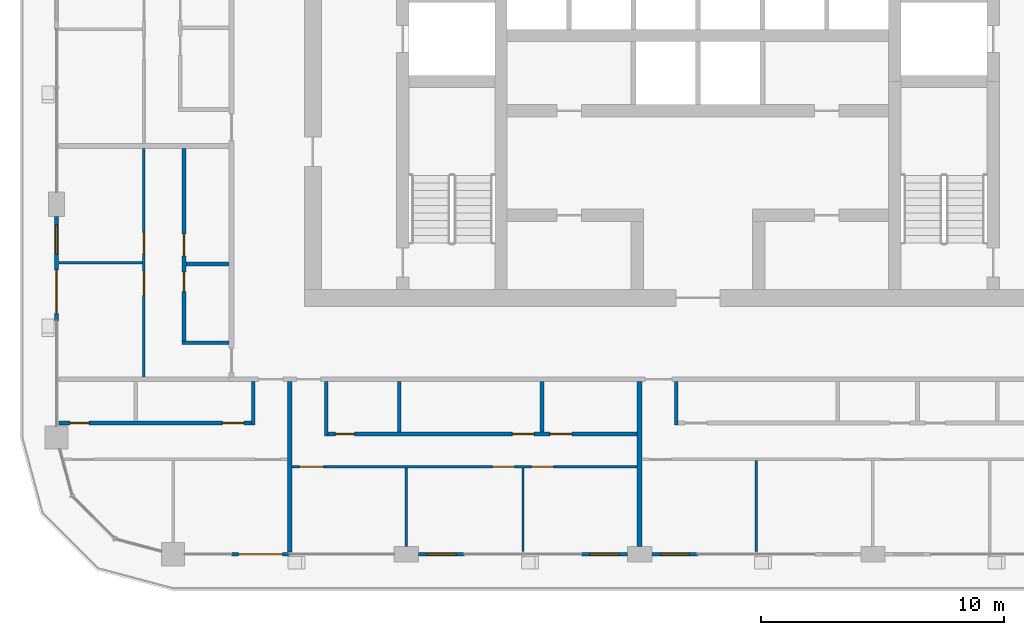
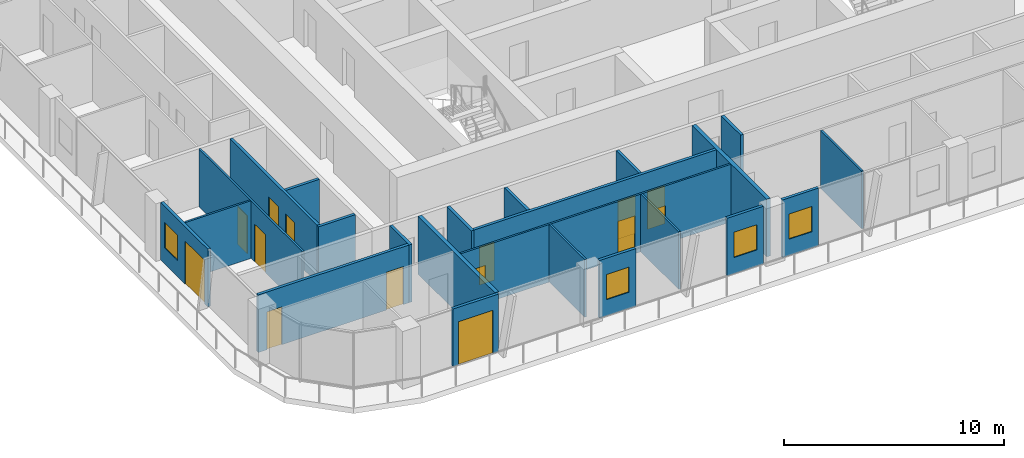
# One storey, part 9 of 23: 23 walls, 14 doors, 4 windows, 18 openings.
"""IFC4 building model written with IfcOpenShell, lengths in metres."""

from ifc_helpers import new_model, si_unit, direction, frame, frame_2d, origin, place, context, subcontext, project, spatial, rectangle, extrude, material, layer, layer_set, type_object, element, fill, save


model = new_model("IFC4")

# Units and contexts
model_context = context("Model", 3, precision=1e-05, world=origin(), true_north=direction((0.0, 1.0)))
body_context = subcontext(model_context, "Body", "Model", "MODEL_VIEW")
ifc_project = project(units=[si_unit("LENGTHUNIT", "METRE"), si_unit("AREAUNIT", "SQUARE_METRE"), si_unit("VOLUMEUNIT", "CUBIC_METRE"), si_unit("PLANEANGLEUNIT", "RADIAN"), si_unit("MASSUNIT", "GRAM", prefix="KILO")], contexts=[model_context])

# Site, building, storey
site_placement = place(None, origin())
site = spatial("IfcSite", under=ifc_project, at=site_placement, CompositionType="ELEMENT")
building_placement = place(site_placement, origin())
building = spatial("IfcBuilding", under=site, at=building_placement, Name="Madar Terraces", CompositionType="ELEMENT")
storey_placement = place(building_placement, frame((0.0, 0.0, 219.300048828125)))
storey = spatial("IfcBuildingStorey", under=building, at=storey_placement, Name="L57", CompositionType="ELEMENT", Elevation=219.300048828125)

# Wall, opening, door
ifc_material_1 = material(Name="Aluminium composite panel, black, over insulated backing", Category="aluminium")
ifc_layer_1 = layer(ifc_material_1, 0.14990234375)
ifc_layer_set_1 = layer_set([ifc_layer_1], Name="Facade bay panel 150")
wall_type_1 = type_object("IfcWallType", Name="Facade bay panel 150", PredefinedType="SOLIDWALL", material=ifc_layer_set_1)
wall_1_placement = place(storey_placement, frame((12.0, 4.800048828125, 0.0), z_axis=(0.0, 0.0, 1.0), x_axis=(1.0, 0.0, 0.0)))
wall_1 = element("IfcWall", 1, at=wall_1_placement, inside=storey, type_object=wall_type_1, Name="Facade bay panel", PredefinedType="SOLIDWALL", context=body_context, shape_type="SweptSolid", body=[
    extrude(rectangle(XDim=2.39990234375, YDim=0.14990234375, at=frame_2d((1.199951171875, 0.0))), origin(), (0.0, 0.0, 1.0), 3.199951171875),
])
opening_1_placement = place(wall_1_placement, frame((0.300048828125, 0.0, 0.0)))
opening_1 = element("IfcOpeningElement", 2, at=opening_1_placement, cuts=wall_1, Name="Opening ED1", PredefinedType="OPENING", context=body_context, shape_type="SweptSolid", body=[
    extrude(rectangle(XDim=1.800048828125, YDim=2.39990234375, at=frame_2d((0.89990234375, 1.199951171875))), frame((0.0, 0.0849609375, 0.0), z_axis=(0.0, -1.0, 0.0), x_axis=(1.0, 0.0, 0.0)), (0.0, 0.0, 1.0), 0.169921875),
])
ifc_material_2 = material(Name="Glass, clear, with black aluminium frame", Category="aluminium")
door_type_1 = type_object("IfcDoorType", Name="Balcony and terrace sliding door 1800 x 2400", OperationType="SLIDING_TO_LEFT", PredefinedType="DOOR", material=ifc_material_2)
door_1_placement = place(opening_1_placement, origin())
door_1 = element("IfcDoor", 3, at=door_1_placement, inside=storey, type_object=door_type_1, Name="Balcony door", OperationType="SLIDING_TO_LEFT", OverallHeight=2.39990234375, OverallWidth=1.800048828125, PredefinedType="DOOR", context=body_context, shape_type="SweptSolid", body=[
    extrude(rectangle(XDim=1.800048828125, YDim=2.39990234375, at=frame_2d((0.89990234375, 1.199951171875))), frame((0.0, 0.02490234375, 0.0), z_axis=(0.0, -1.0, 0.0), x_axis=(1.0, 0.0, 0.0)), (0.0, 0.0, 1.0), 0.050048828125),
])
fill(opening_1, door_1)

# Wall, opening, window
wall_2_placement = place(storey_placement, frame((19.699951171875, 4.800048828125, 0.0), z_axis=(0.0, 0.0, 1.0), x_axis=(1.0, 0.0, 0.0)))
wall_2 = element("IfcWall", 4, at=wall_2_placement, inside=storey, type_object=wall_type_1, Name="Facade bay panel", PredefinedType="SOLIDWALL", context=body_context, shape_type="SweptSolid", body=[
    extrude(rectangle(XDim=1.900146484375, YDim=0.14990234375, at=frame_2d((0.9501953125, 0.0))), origin(), (0.0, 0.0, 1.0), 3.199951171875),
])
opening_2_placement = place(wall_2_placement, frame((0.35009765625, 0.0, 0.89990234375)))
opening_2 = element("IfcOpeningElement", 5, at=opening_2_placement, cuts=wall_2, Name="Opening W1", PredefinedType="OPENING", context=body_context, shape_type="SweptSolid", body=[
    extrude(rectangle(XDim=1.199951171875, YDim=1.39990234375, at=frame_2d((0.60009765625, 0.699951171875))), frame((0.0, 0.0849609375, 0.0), z_axis=(0.0, -1.0, 0.0), x_axis=(1.0, 0.0, 0.0)), (0.0, 0.0, 1.0), 0.169921875),
])
ifc_material_3 = material(Name="Glass, clear, with black aluminium frame", Category="aluminium")
window_type = type_object("IfcWindowType", Name="Vent window 1200 x 1400", PartitioningType="SINGLE_PANEL", PredefinedType="WINDOW", material=ifc_material_3)
window_1_placement = place(opening_2_placement, origin())
window_1 = element("IfcWindow", 6, at=window_1_placement, inside=storey, type_object=window_type, Name="Operable vent window", OverallHeight=1.39990234375, OverallWidth=1.199951171875, PartitioningType="SINGLE_PANEL", PredefinedType="WINDOW", context=body_context, shape_type="SweptSolid", body=[
    extrude(rectangle(XDim=1.199951171875, YDim=1.39990234375, at=frame_2d((0.60009765625, 0.699951171875))), frame((0.0, 0.030029296875, 0.0), z_axis=(0.0, -1.0, 0.0), x_axis=(1.0, 0.0, 0.0)), (0.0, 0.0, 1.0), 0.06005859375),
])
fill(opening_2, window_1)

wall_3_placement = place(storey_placement, frame((26.39990234375, 4.800048828125, 0.0), z_axis=(0.0, 0.0, 1.0), x_axis=(1.0, 0.0, 0.0)))
wall_3 = element("IfcWall", 7, at=wall_3_placement, inside=storey, type_object=wall_type_1, Name="Facade bay panel", PredefinedType="SOLIDWALL", context=body_context, shape_type="SweptSolid", body=[
    extrude(rectangle(XDim=1.900146484375, YDim=0.14990234375, at=frame_2d((0.9501953125, 0.0))), origin(), (0.0, 0.0, 1.0), 3.199951171875),
])
opening_3_placement = place(wall_3_placement, frame((0.35009765625, 0.0, 0.89990234375)))
opening_3 = element("IfcOpeningElement", 8, at=opening_3_placement, cuts=wall_3, Name="Opening W1", PredefinedType="OPENING", context=body_context, shape_type="SweptSolid", body=[
    extrude(rectangle(XDim=1.199951171875, YDim=1.39990234375, at=frame_2d((0.60009765625, 0.699951171875))), frame((0.0, 0.0849609375, 0.0), z_axis=(0.0, -1.0, 0.0), x_axis=(1.0, 0.0, 0.0)), (0.0, 0.0, 1.0), 0.169921875),
])
window_2_placement = place(opening_3_placement, origin())
window_2 = element("IfcWindow", 9, at=window_2_placement, inside=storey, type_object=window_type, Name="Operable vent window", OverallHeight=1.39990234375, OverallWidth=1.199951171875, PartitioningType="SINGLE_PANEL", PredefinedType="WINDOW", context=body_context, shape_type="SweptSolid", body=[
    extrude(rectangle(XDim=1.199951171875, YDim=1.39990234375, at=frame_2d((0.60009765625, 0.699951171875))), frame((0.0, 0.030029296875, 0.0), z_axis=(0.0, -1.0, 0.0), x_axis=(1.0, 0.0, 0.0)), (0.0, 0.0, 1.0), 0.06005859375),
])
fill(opening_3, window_2)

wall_4_placement = place(storey_placement, frame((29.300048828125, 4.800048828125, 0.0), z_axis=(0.0, 0.0, 1.0), x_axis=(1.0, 0.0, 0.0)))
wall_4 = element("IfcWall", 10, at=wall_4_placement, inside=storey, type_object=wall_type_1, Name="Facade bay panel", PredefinedType="SOLIDWALL", context=body_context, shape_type="SweptSolid", body=[
    extrude(rectangle(XDim=1.89990234375, YDim=0.14990234375, at=frame_2d((0.949951171875, 0.0))), origin(), (0.0, 0.0, 1.0), 3.199951171875),
])
opening_4_placement = place(wall_4_placement, frame((0.35009765625, 0.0, 0.89990234375)))
opening_4 = element("IfcOpeningElement", 11, at=opening_4_placement, cuts=wall_4, Name="Opening W1", PredefinedType="OPENING", context=body_context, shape_type="SweptSolid", body=[
    extrude(rectangle(XDim=1.199951171875, YDim=1.39990234375, at=frame_2d((0.60009765625, 0.699951171875))), frame((0.0, 0.0849609375, 0.0), z_axis=(0.0, -1.0, 0.0), x_axis=(1.0, 0.0, 0.0)), (0.0, 0.0, 1.0), 0.169921875),
])
window_3_placement = place(opening_4_placement, origin())
window_3 = element("IfcWindow", 12, at=window_3_placement, inside=storey, type_object=window_type, Name="Operable vent window", OverallHeight=1.39990234375, OverallWidth=1.199951171875, PartitioningType="SINGLE_PANEL", PredefinedType="WINDOW", context=body_context, shape_type="SweptSolid", body=[
    extrude(rectangle(XDim=1.199951171875, YDim=1.39990234375, at=frame_2d((0.60009765625, 0.699951171875))), frame((0.0, 0.030029296875, 0.0), z_axis=(0.0, -1.0, 0.0), x_axis=(1.0, 0.0, 0.0)), (0.0, 0.0, 1.0), 0.06005859375),
])
fill(opening_4, window_3)

# Wall, openings, door, window
wall_5_placement = place(storey_placement, frame((4.800048828125, 18.699951171875, 0.0), z_axis=(0.0, 0.0, 1.0), x_axis=(0.0, -1.0, 0.0)))
wall_5 = element("IfcWall", 13, at=wall_5_placement, inside=storey, type_object=wall_type_1, Name="Facade bay panel", PredefinedType="SOLIDWALL", context=body_context, shape_type="SweptSolid", body=[
    extrude(rectangle(XDim=4.300048828125, YDim=0.14990234375, at=frame_2d((2.14990234375, 0.0))), origin(), (0.0, 0.0, 1.0), 3.199951171875),
])
opening_5_placement = place(wall_5_placement, frame((0.35009765625, 0.0, 0.89990234375)))
opening_5 = element("IfcOpeningElement", 14, at=opening_5_placement, cuts=wall_5, Name="Opening W1", PredefinedType="OPENING", context=body_context, shape_type="SweptSolid", body=[
    extrude(rectangle(XDim=1.199951171875, YDim=1.39990234375, at=frame_2d((0.60009765625, 0.699951171875))), frame((0.0, 0.0849609375, 0.0), z_axis=(0.0, -1.0, 0.0), x_axis=(1.0, 0.0, 0.0)), (0.0, 0.0, 1.0), 0.169921875),
])
opening_6_placement = place(wall_5_placement, frame((2.199951171875, 0.0, 0.0)))
opening_6 = element("IfcOpeningElement", 15, at=opening_6_placement, cuts=wall_5, Name="Opening ED1", PredefinedType="OPENING", context=body_context, shape_type="SweptSolid", body=[
    extrude(rectangle(XDim=1.800048828125, YDim=2.39990234375, at=frame_2d((0.89990234375, 1.199951171875))), frame((0.0, 0.0849609375, 0.0), z_axis=(0.0, -1.0, 0.0), x_axis=(1.0, 0.0, 0.0)), (0.0, 0.0, 1.0), 0.169921875),
])
door_2_placement = place(opening_6_placement, origin())
door_2 = element("IfcDoor", 16, at=door_2_placement, inside=storey, type_object=door_type_1, Name="Balcony door", OperationType="SLIDING_TO_LEFT", OverallHeight=2.39990234375, OverallWidth=1.800048828125, PredefinedType="DOOR", context=body_context, shape_type="SweptSolid", body=[
    extrude(rectangle(XDim=1.800048828125, YDim=2.39990234375, at=frame_2d((0.89990234375, 1.199951171875))), frame((0.0, 0.02490234375, 0.0), z_axis=(0.0, -1.0, 0.0), x_axis=(1.0, 0.0, 0.0)), (0.0, 0.0, 1.0), 0.050048828125),
])
fill(opening_6, door_2)
window_4_placement = place(opening_5_placement, origin())
window_4 = element("IfcWindow", 17, at=window_4_placement, inside=storey, type_object=window_type, Name="Operable vent window", OverallHeight=1.39990234375, OverallWidth=1.199951171875, PartitioningType="SINGLE_PANEL", PredefinedType="WINDOW", context=body_context, shape_type="SweptSolid", body=[
    extrude(rectangle(XDim=1.199951171875, YDim=1.39990234375, at=frame_2d((0.60009765625, 0.699951171875))), frame((0.0, 0.030029296875, 0.0), z_axis=(0.0, -1.0, 0.0), x_axis=(1.0, 0.0, 0.0)), (0.0, 0.0, 1.0), 0.06005859375),
])
fill(opening_5, window_4)

# Walls
ifc_material_4 = material(Name="Gypsum board on steel studs", Category="steel")
ifc_layer_2 = layer(ifc_material_4, 0.10009765625)
ifc_layer_set_2 = layer_set([ifc_layer_2], Name="Flat partition 100")
wall_type_2 = type_object("IfcWallType", Name="Flat partition 100", PredefinedType="PARTITIONING", material=ifc_layer_set_2)
wall_6_placement = place(storey_placement, frame((19.199951171875, 8.35009765625, 0.0), z_axis=(0.0, 0.0, 1.0), x_axis=(0.0, -1.0, 0.0)))
element("IfcWall", 18, at=wall_6_placement, inside=storey, type_object=wall_type_2, Name="Flat partition 100", PredefinedType="PARTITIONING", context=body_context, shape_type="SweptSolid", body=[
    extrude(rectangle(XDim=3.22509765625, YDim=0.10009765625, at=frame_2d((1.612548828125, 0.0))), origin(), (0.0, 0.0, 1.0), 3.199951171875),
])
wall_7_placement = place(storey_placement, frame((24.0, 8.35009765625, 0.0), z_axis=(0.0, 0.0, 1.0), x_axis=(0.0, -1.0, 0.0)))
element("IfcWall", 19, at=wall_7_placement, inside=storey, type_object=wall_type_2, Name="Flat partition 100", PredefinedType="PARTITIONING", context=body_context, shape_type="SweptSolid", body=[
    extrude(rectangle(XDim=3.4501953125, YDim=0.10009765625, at=frame_2d((1.72509765625, 0.0))), origin(), (0.0, 0.0, 1.0), 3.199951171875),
])

# Wall, openings, doors
wall_8_placement = place(storey_placement, frame((28.699951171875, 8.39990234375, 0.0), z_axis=(0.0, 0.0, 1.0), x_axis=(-1.0, 0.0, 0.0)))
wall_8 = element("IfcWall", 20, at=wall_8_placement, inside=storey, type_object=wall_type_2, Name="Flat partition 100", PredefinedType="PARTITIONING", context=body_context, shape_type="SweptSolid", body=[
    extrude(rectangle(XDim=14.199951171875, YDim=0.10009765625, at=frame_2d((7.10009765625, 0.0))), origin(), (0.0, 0.0, 1.0), 3.199951171875),
])
opening_7_placement = place(wall_8_placement, frame((12.89990234375, 0.0, 0.0)))
opening_7 = element("IfcOpeningElement", 21, at=opening_7_placement, cuts=wall_8, Name="Opening D3", PredefinedType="OPENING", context=body_context, shape_type="SweptSolid", body=[
    extrude(rectangle(XDim=1.0, YDim=2.10009765625, at=frame_2d((0.5, 1.050048828125))), frame((0.0, 0.06005859375, 0.0), z_axis=(0.0, -1.0, 0.0), x_axis=(1.0, 0.0, 0.0)), (0.0, 0.0, 1.0), 0.1201171875),
])
opening_8_placement = place(wall_8_placement, frame((5.050048828125, 0.0, 0.0)))
opening_8 = element("IfcOpeningElement", 22, at=opening_8_placement, cuts=wall_8, Name="Opening D2", PredefinedType="OPENING", context=body_context, shape_type="SweptSolid", body=[
    extrude(rectangle(XDim=0.89990234375, YDim=2.10009765625, at=frame_2d((0.449951171875, 1.050048828125))), frame((0.0, 0.06005859375, 0.0), z_axis=(0.0, -1.0, 0.0), x_axis=(1.0, 0.0, 0.0)), (0.0, 0.0, 1.0), 0.1201171875),
])
opening_9_placement = place(wall_8_placement, frame((3.449951171875, 0.0, 0.0)))
opening_9 = element("IfcOpeningElement", 23, at=opening_9_placement, cuts=wall_8, Name="Opening D2", PredefinedType="OPENING", context=body_context, shape_type="SweptSolid", body=[
    extrude(rectangle(XDim=0.89990234375, YDim=2.10009765625, at=frame_2d((0.449951171875, 1.050048828125))), frame((0.0, 0.06005859375, 0.0), z_axis=(0.0, -1.0, 0.0), x_axis=(1.0, 0.0, 0.0)), (0.0, 0.0, 1.0), 0.1201171875),
])
ifc_material_5 = material(Name="Timber door leaf", Category="wood")
door_type_2 = type_object("IfcDoorType", Name="Flat living room door 1000", OperationType="NOTDEFINED", PredefinedType="DOOR", material=ifc_material_5)
door_3_placement = place(opening_7_placement, origin())
door_3 = element("IfcDoor", 24, at=door_3_placement, inside=storey, type_object=door_type_2, Name="Flat living room door 1000", OperationType="SINGLE_SWING_RIGHT", OverallHeight=2.10009765625, OverallWidth=1.0, PredefinedType="DOOR", context=body_context, shape_type="SweptSolid", body=[
    extrude(rectangle(XDim=1.0, YDim=2.10009765625, at=frame_2d((0.5, 1.050048828125))), frame((0.0, 0.02490234375, 0.0), z_axis=(0.0, -1.0, 0.0), x_axis=(1.0, 0.0, 0.0)), (0.0, 0.0, 1.0), 0.050048828125),
])
fill(opening_7, door_3)
ifc_material_6 = material(Name="Timber door leaf", Category="wood")
door_type_3 = type_object("IfcDoorType", Name="Flat room door 900", OperationType="NOTDEFINED", PredefinedType="DOOR", material=ifc_material_6)
door_4_placement = place(opening_8_placement, origin())
door_4 = element("IfcDoor", 25, at=door_4_placement, inside=storey, type_object=door_type_3, Name="Flat room door 900", OperationType="SINGLE_SWING_LEFT", OverallHeight=2.10009765625, OverallWidth=0.89990234375, PredefinedType="DOOR", context=body_context, shape_type="SweptSolid", body=[
    extrude(rectangle(XDim=0.89990234375, YDim=2.10009765625, at=frame_2d((0.449951171875, 1.050048828125))), frame((0.0, 0.02490234375, 0.0), z_axis=(0.0, -1.0, 0.0), x_axis=(1.0, 0.0, 0.0)), (0.0, 0.0, 1.0), 0.050048828125),
])
fill(opening_8, door_4)
door_5_placement = place(opening_9_placement, origin())
door_5 = element("IfcDoor", 26, at=door_5_placement, inside=storey, type_object=door_type_3, Name="Flat room door 900", OperationType="SINGLE_SWING_RIGHT", OverallHeight=2.10009765625, OverallWidth=0.89990234375, PredefinedType="DOOR", context=body_context, shape_type="SweptSolid", body=[
    extrude(rectangle(XDim=0.89990234375, YDim=2.10009765625, at=frame_2d((0.449951171875, 1.050048828125))), frame((0.0, 0.02490234375, 0.0), z_axis=(0.0, -1.0, 0.0), x_axis=(1.0, 0.0, 0.0)), (0.0, 0.0, 1.0), 0.050048828125),
])
fill(opening_9, door_5)

# Walls
wall_9_placement = place(storey_placement, frame((33.60009765625, 8.64990234375, 0.0), z_axis=(0.0, 0.0, 1.0), x_axis=(0.0, -1.0, 0.0)))
element("IfcWall", 27, at=wall_9_placement, inside=storey, type_object=wall_type_2, Name="Flat partition 100", PredefinedType="PARTITIONING", context=body_context, shape_type="SweptSolid", body=[
    extrude(rectangle(XDim=3.75, YDim=0.10009765625, at=frame_2d((1.875, 0.0))), origin(), (0.0, 0.0, 1.0), 3.199951171875),
])
wall_10_placement = place(storey_placement, frame((8.35009765625, 16.800048828125, 0.0), z_axis=(0.0, 0.0, 1.0), x_axis=(-1.0, 0.0, 0.0)))
element("IfcWall", 28, at=wall_10_placement, inside=storey, type_object=wall_type_2, Name="Flat partition 100", PredefinedType="PARTITIONING", context=body_context, shape_type="SweptSolid", body=[
    extrude(rectangle(XDim=3.4501953125, YDim=0.10009765625, at=frame_2d((1.72509765625, 0.0))), origin(), (0.0, 0.0, 1.0), 3.199951171875),
])

# Wall, openings, doors
wall_11_placement = place(storey_placement, frame((8.39990234375, 12.10009765625, 0.0), z_axis=(0.0, 0.0, 1.0), x_axis=(0.0, 1.0, 0.0)))
wall_11 = element("IfcWall", 29, at=wall_11_placement, inside=storey, type_object=wall_type_2, Name="Flat partition 100", PredefinedType="PARTITIONING", context=body_context, shape_type="SweptSolid", body=[
    extrude(rectangle(XDim=9.39990234375, YDim=0.10009765625, at=frame_2d((4.699951171875, 0.0))), origin(), (0.0, 0.0, 1.0), 3.199951171875),
])
opening_10_placement = place(wall_11_placement, frame((3.35009765625, 0.0, 0.0)))
opening_10 = element("IfcOpeningElement", 30, at=opening_10_placement, cuts=wall_11, Name="Opening D3", PredefinedType="OPENING", context=body_context, shape_type="SweptSolid", body=[
    extrude(rectangle(XDim=1.0, YDim=2.10009765625, at=frame_2d((0.5, 1.050048828125))), frame((0.0, 0.06005859375, 0.0), z_axis=(0.0, -1.0, 0.0), x_axis=(1.0, 0.0, 0.0)), (0.0, 0.0, 1.0), 0.1201171875),
])
opening_11_placement = place(wall_11_placement, frame((5.050048828125, 0.0, 0.0)))
opening_11 = element("IfcOpeningElement", 31, at=opening_11_placement, cuts=wall_11, Name="Opening D2", PredefinedType="OPENING", context=body_context, shape_type="SweptSolid", body=[
    extrude(rectangle(XDim=0.89990234375, YDim=2.10009765625, at=frame_2d((0.449951171875, 1.050048828125))), frame((0.0, 0.06005859375, 0.0), z_axis=(0.0, -1.0, 0.0), x_axis=(1.0, 0.0, 0.0)), (0.0, 0.0, 1.0), 0.1201171875),
])
door_6_placement = place(opening_10_placement, origin())
door_6 = element("IfcDoor", 32, at=door_6_placement, inside=storey, type_object=door_type_2, Name="Flat living room door 1000", OperationType="SINGLE_SWING_RIGHT", OverallHeight=2.10009765625, OverallWidth=1.0, PredefinedType="DOOR", context=body_context, shape_type="SweptSolid", body=[
    extrude(rectangle(XDim=1.0, YDim=2.10009765625, at=frame_2d((0.5, 1.050048828125))), frame((0.0, 0.02490234375, 0.0), z_axis=(0.0, -1.0, 0.0), x_axis=(1.0, 0.0, 0.0)), (0.0, 0.0, 1.0), 0.050048828125),
])
fill(opening_10, door_6)
door_7_placement = place(opening_11_placement, origin())
door_7 = element("IfcDoor", 33, at=door_7_placement, inside=storey, type_object=door_type_3, Name="Flat room door 900", OperationType="SINGLE_SWING_LEFT", OverallHeight=2.10009765625, OverallWidth=0.89990234375, PredefinedType="DOOR", context=body_context, shape_type="SweptSolid", body=[
    extrude(rectangle(XDim=0.89990234375, YDim=2.10009765625, at=frame_2d((0.449951171875, 1.050048828125))), frame((0.0, 0.02490234375, 0.0), z_axis=(0.0, -1.0, 0.0), x_axis=(1.0, 0.0, 0.0)), (0.0, 0.0, 1.0), 0.050048828125),
])
fill(opening_11, door_7)

# Walls
ifc_material_7 = material(Name="Lightweight blockwork", Category="masonry")
ifc_layer_3 = layer(ifc_material_7, 0.199951171875)
ifc_layer_set_3 = layer_set([ifc_layer_3], Name="Flat party and entrance wall 200")
wall_type_3 = type_object("IfcWallType", Name="Flat party and entrance wall 200", PredefinedType="PARTITIONING", material=ifc_layer_set_3)
wall_12_placement = place(storey_placement, frame((14.39990234375, 11.89990234375, 0.0), z_axis=(0.0, 0.0, 1.0), x_axis=(0.0, -1.0, 0.0)))
element("IfcWall", 34, at=wall_12_placement, inside=storey, type_object=wall_type_3, Name="Flat party and entrance wall 200", PredefinedType="PARTITIONING", context=body_context, shape_type="SweptSolid", body=[
    extrude(rectangle(XDim=7.0, YDim=0.199951171875, at=frame_2d((3.5, 0.0))), origin(), (0.0, 0.0, 1.0), 3.199951171875),
])
wall_13_placement = place(storey_placement, frame((28.800048828125, 11.89990234375, 0.0), z_axis=(0.0, 0.0, 1.0), x_axis=(0.0, -1.0, 0.0)))
element("IfcWall", 35, at=wall_13_placement, inside=storey, type_object=wall_type_3, Name="Flat party and entrance wall 200", PredefinedType="PARTITIONING", context=body_context, shape_type="SweptSolid", body=[
    extrude(rectangle(XDim=6.77490234375, YDim=0.199951171875, at=frame_2d((3.387451171875, 0.0))), origin(), (0.0, 0.0, 1.0), 3.199951171875),
])
ifc_material_8 = material(Name="Lightweight blockwork", Category="masonry")
ifc_layer_4 = layer(ifc_material_8, 0.14990234375)
ifc_layer_set_4 = layer_set([ifc_layer_4], Name="Flat wet-room partition 150")
wall_type_4 = type_object("IfcWallType", Name="Flat wet-room partition 150", PredefinedType="PARTITIONING", material=ifc_layer_set_4)
wall_14_placement = place(storey_placement, frame((12.89990234375, 11.89990234375, 0.0), z_axis=(0.0, 0.0, 1.0), x_axis=(0.0, -1.0, 0.0)))
element("IfcWall", 36, at=wall_14_placement, inside=storey, type_object=wall_type_4, Name="Flat wet-room partition 150", PredefinedType="PARTITIONING", context=body_context, shape_type="SweptSolid", body=[
    extrude(rectangle(XDim=1.77490234375, YDim=0.14990234375, at=frame_2d((0.887451171875, 0.0))), origin(), (0.0, 0.0, 1.0), 3.199951171875),
])

# Wall, openings, doors
wall_15_placement = place(storey_placement, frame((4.89990234375, 10.199951171875, 0.0), z_axis=(0.0, 0.0, 1.0), x_axis=(1.0, 0.0, 0.0)))
wall_15 = element("IfcWall", 37, at=wall_15_placement, inside=storey, type_object=wall_type_4, Name="Flat wet-room partition 150", PredefinedType="PARTITIONING", context=body_context, shape_type="SweptSolid", body=[
    extrude(rectangle(XDim=7.925048828125, YDim=0.14990234375, at=frame_2d((3.96240234375, 0.0))), origin(), (0.0, 0.0, 1.0), 3.199951171875),
])
opening_12_placement = place(wall_15_placement, frame((6.72509765625, 0.0, 0.0)))
opening_12 = element("IfcOpeningElement", 38, at=opening_12_placement, cuts=wall_15, Name="Opening D2", PredefinedType="OPENING", context=body_context, shape_type="SweptSolid", body=[
    extrude(rectangle(XDim=0.89990234375, YDim=2.10009765625, at=frame_2d((0.449951171875, 1.050048828125))), frame((0.0, 0.0849609375, 0.0), z_axis=(0.0, -1.0, 0.0), x_axis=(1.0, 0.0, 0.0)), (0.0, 0.0, 1.0), 0.169921875),
])
opening_13_placement = place(wall_15_placement, frame((0.449951171875, 0.0, 0.0)))
opening_13 = element("IfcOpeningElement", 39, at=opening_13_placement, cuts=wall_15, Name="Opening D4", PredefinedType="OPENING", context=body_context, shape_type="SweptSolid", body=[
    extrude(rectangle(XDim=0.800048828125, YDim=2.10009765625, at=frame_2d((0.39990234375, 1.050048828125))), frame((0.0, 0.0849609375, 0.0), z_axis=(0.0, -1.0, 0.0), x_axis=(1.0, 0.0, 0.0)), (0.0, 0.0, 1.0), 0.169921875),
])
ifc_material_9 = material(Name="Timber door leaf", Category="wood")
door_type_4 = type_object("IfcDoorType", Name="Flat bathroom door 800", OperationType="NOTDEFINED", PredefinedType="DOOR", material=ifc_material_9)
door_8_placement = place(opening_13_placement, origin())
door_8 = element("IfcDoor", 40, at=door_8_placement, inside=storey, type_object=door_type_4, Name="Flat bathroom door 800", OperationType="SINGLE_SWING_LEFT", OverallHeight=2.10009765625, OverallWidth=0.800048828125, PredefinedType="DOOR", context=body_context, shape_type="SweptSolid", body=[
    extrude(rectangle(XDim=0.800048828125, YDim=2.10009765625, at=frame_2d((0.39990234375, 1.050048828125))), frame((0.0, 0.02490234375, 0.0), z_axis=(0.0, -1.0, 0.0), x_axis=(1.0, 0.0, 0.0)), (0.0, 0.0, 1.0), 0.050048828125),
])
fill(opening_13, door_8)
door_9_placement = place(opening_12_placement, origin())
door_9 = element("IfcDoor", 41, at=door_9_placement, inside=storey, type_object=door_type_3, Name="Flat room door 900", OperationType="SINGLE_SWING_RIGHT", OverallHeight=2.10009765625, OverallWidth=0.89990234375, PredefinedType="DOOR", context=body_context, shape_type="SweptSolid", body=[
    extrude(rectangle(XDim=0.89990234375, YDim=2.10009765625, at=frame_2d((0.449951171875, 1.050048828125))), frame((0.0, 0.02490234375, 0.0), z_axis=(0.0, -1.0, 0.0), x_axis=(1.0, 0.0, 0.0)), (0.0, 0.0, 1.0), 0.050048828125),
])
fill(opening_12, door_9)

# Walls
for number, where, z_axis, x_axis, name in (
    (42, (18.91162109375, 11.89990234375, 0.0), (0.0, 0.0, 1.0), (0.0, -1.0, 0.0), "Flat wet-room partition 150"),
    (43, (24.78466796875, 11.89990234375, 0.0), (0.0, 0.0, 1.0), (0.0, -1.0, 0.0), "Flat wet-room partition 150"),
):
    element("IfcWall", number, at=place(storey_placement, frame(where, z_axis=z_axis, x_axis=x_axis)), inside=storey, type_object=wall_type_4, Name=name, PredefinedType="PARTITIONING", context=body_context, shape_type="SweptSolid", body=[
        extrude(rectangle(XDim=2.074951171875, YDim=0.14990234375, at=frame_2d((1.03759765625, 0.0))), origin(), (0.0, 0.0, 1.0), 3.199951171875),
    ])
wall_16_placement = place(storey_placement, frame((15.89990234375, 11.89990234375, 0.0), z_axis=(0.0, 0.0, 1.0), x_axis=(0.0, -1.0, 0.0)))
element("IfcWall", 44, at=wall_16_placement, inside=storey, type_object=wall_type_4, Name="Flat wet-room partition 150", PredefinedType="PARTITIONING", context=body_context, shape_type="SweptSolid", body=[
    extrude(rectangle(XDim=2.224853515625, YDim=0.14990234375, at=frame_2d((1.1123046875, 0.0))), origin(), (0.0, 0.0, 1.0), 3.199951171875),
])

# Wall, openings, doors
wall_17_placement = place(storey_placement, frame((15.97509765625, 9.75, 0.0), z_axis=(0.0, 0.0, 1.0), x_axis=(1.0, 0.0, 0.0)))
wall_17 = element("IfcWall", 45, at=wall_17_placement, inside=storey, type_object=wall_type_4, Name="Flat wet-room partition 150", PredefinedType="PARTITIONING", context=body_context, shape_type="SweptSolid", body=[
    extrude(rectangle(XDim=12.724853515625, YDim=0.14990234375, at=frame_2d((6.3623046875, 0.0))), origin(), (0.0, 0.0, 1.0), 3.199951171875),
])
opening_14_placement = place(wall_17_placement, frame((0.300048828125, 0.0, 0.0)))
opening_14 = element("IfcOpeningElement", 46, at=opening_14_placement, cuts=wall_17, Name="Opening D4", PredefinedType="OPENING", context=body_context, shape_type="SweptSolid", body=[
    extrude(rectangle(XDim=0.800048828125, YDim=2.10009765625, at=frame_2d((0.39990234375, 1.050048828125))), frame((0.0, 0.0849609375, 0.0), z_axis=(0.0, -1.0, 0.0), x_axis=(1.0, 0.0, 0.0)), (0.0, 0.0, 1.0), 0.169921875),
])
opening_15_placement = place(wall_17_placement, frame((7.584716796875, 0.0, 0.0)))
opening_15 = element("IfcOpeningElement", 47, at=opening_15_placement, cuts=wall_17, Name="Opening D2", PredefinedType="OPENING", context=body_context, shape_type="SweptSolid", body=[
    extrude(rectangle(XDim=0.89990234375, YDim=2.10009765625, at=frame_2d((0.449951171875, 1.050048828125))), frame((0.0, 0.0849609375, 0.0), z_axis=(0.0, -1.0, 0.0), x_axis=(1.0, 0.0, 0.0)), (0.0, 0.0, 1.0), 0.169921875),
])
opening_16_placement = place(wall_17_placement, frame((9.134521484375, 0.0, 0.0)))
opening_16 = element("IfcOpeningElement", 48, at=opening_16_placement, cuts=wall_17, Name="Opening D5", PredefinedType="OPENING", context=body_context, shape_type="SweptSolid", body=[
    extrude(rectangle(XDim=0.89990234375, YDim=2.10009765625, at=frame_2d((0.449951171875, 1.050048828125))), frame((0.0, 0.0849609375, 0.0), z_axis=(0.0, -1.0, 0.0), x_axis=(1.0, 0.0, 0.0)), (0.0, 0.0, 1.0), 0.169921875),
])
ifc_material_10 = material(Name="Timber door leaf", Category="wood")
door_type_5 = type_object("IfcDoorType", Name="Flat accessible bathroom door 900", OperationType="NOTDEFINED", PredefinedType="DOOR", material=ifc_material_10)
door_10_placement = place(opening_16_placement, origin())
door_10 = element("IfcDoor", 49, at=door_10_placement, inside=storey, type_object=door_type_5, Name="Flat accessible bathroom door 900", OperationType="SINGLE_SWING_LEFT", OverallHeight=2.10009765625, OverallWidth=0.89990234375, PredefinedType="DOOR", context=body_context, shape_type="SweptSolid", body=[
    extrude(rectangle(XDim=0.89990234375, YDim=2.10009765625, at=frame_2d((0.449951171875, 1.050048828125))), frame((0.0, 0.02490234375, 0.0), z_axis=(0.0, -1.0, 0.0), x_axis=(1.0, 0.0, 0.0)), (0.0, 0.0, 1.0), 0.050048828125),
])
fill(opening_16, door_10)
door_11_placement = place(opening_14_placement, origin())
door_11 = element("IfcDoor", 50, at=door_11_placement, inside=storey, type_object=door_type_4, Name="Flat bathroom door 800", OperationType="SINGLE_SWING_LEFT", OverallHeight=2.10009765625, OverallWidth=0.800048828125, PredefinedType="DOOR", context=body_context, shape_type="SweptSolid", body=[
    extrude(rectangle(XDim=0.800048828125, YDim=2.10009765625, at=frame_2d((0.39990234375, 1.050048828125))), frame((0.0, 0.02490234375, 0.0), z_axis=(0.0, -1.0, 0.0), x_axis=(1.0, 0.0, 0.0)), (0.0, 0.0, 1.0), 0.050048828125),
])
fill(opening_14, door_11)
door_12_placement = place(opening_15_placement, origin())
door_12 = element("IfcDoor", 51, at=door_12_placement, inside=storey, type_object=door_type_3, Name="Flat room door 900", OperationType="SINGLE_SWING_RIGHT", OverallHeight=2.10009765625, OverallWidth=0.89990234375, PredefinedType="DOOR", context=body_context, shape_type="SweptSolid", body=[
    extrude(rectangle(XDim=0.89990234375, YDim=2.10009765625, at=frame_2d((0.449951171875, 1.050048828125))), frame((0.0, 0.02490234375, 0.0), z_axis=(0.0, -1.0, 0.0), x_axis=(1.0, 0.0, 0.0)), (0.0, 0.0, 1.0), 0.050048828125),
])
fill(opening_15, door_12)

# Walls
for number, where, z_axis, x_axis, name in (
    (52, (30.300048828125, 11.89990234375, 0.0), (0.0, 0.0, 1.0), (0.0, -1.0, 0.0), "Flat wet-room partition 150"),
    (53, (11.89990234375, 16.7451171875, 0.0), (0.0, 0.0, 1.0), (-1.0, 0.0, 0.0), "Flat wet-room partition 150"),
):
    element("IfcWall", number, at=place(storey_placement, frame(where, z_axis=z_axis, x_axis=x_axis)), inside=storey, type_object=wall_type_4, Name=name, PredefinedType="PARTITIONING", context=body_context, shape_type="SweptSolid", body=[
        extrude(rectangle(XDim=1.77490234375, YDim=0.14990234375, at=frame_2d((0.887451171875, 0.0))), origin(), (0.0, 0.0, 1.0), 3.199951171875),
    ])
wall_18_placement = place(storey_placement, frame((11.89990234375, 13.5, 0.0), z_axis=(0.0, 0.0, 1.0), x_axis=(-1.0, 0.0, 0.0)))
element("IfcWall", 54, at=wall_18_placement, inside=storey, type_object=wall_type_4, Name="Flat wet-room partition 150", PredefinedType="PARTITIONING", context=body_context, shape_type="SweptSolid", body=[
    extrude(rectangle(XDim=1.9248046875, YDim=0.14990234375, at=frame_2d((0.96240234375, 0.0))), origin(), (0.0, 0.0, 1.0), 3.199951171875),
])

# Wall, openings, doors
wall_19_placement = place(storey_placement, frame((10.050048828125, 21.5, 0.0), z_axis=(0.0, 0.0, 1.0), x_axis=(0.0, -1.0, 0.0)))
wall_19 = element("IfcWall", 55, at=wall_19_placement, inside=storey, type_object=wall_type_4, Name="Flat wet-room partition 150", PredefinedType="PARTITIONING", context=body_context, shape_type="SweptSolid", body=[
    extrude(rectangle(XDim=7.925048828125, YDim=0.14990234375, at=frame_2d((3.96240234375, 0.0))), origin(), (0.0, 0.0, 1.0), 3.199951171875),
])
opening_17_placement = place(wall_19_placement, frame((5.080078125, 0.0, 0.0)))
opening_17 = element("IfcOpeningElement", 56, at=opening_17_placement, cuts=wall_19, Name="Opening D4", PredefinedType="OPENING", context=body_context, shape_type="SweptSolid", body=[
    extrude(rectangle(XDim=0.800048828125, YDim=2.10009765625, at=frame_2d((0.39990234375, 1.050048828125))), frame((0.0, 0.0849609375, 0.0), z_axis=(0.0, -1.0, 0.0), x_axis=(1.0, 0.0, 0.0)), (0.0, 0.0, 1.0), 0.169921875),
])
opening_18_placement = place(wall_19_placement, frame((3.530029296875, 0.0, 0.0)))
opening_18 = element("IfcOpeningElement", 57, at=opening_18_placement, cuts=wall_19, Name="Opening D2", PredefinedType="OPENING", context=body_context, shape_type="SweptSolid", body=[
    extrude(rectangle(XDim=0.89990234375, YDim=2.10009765625, at=frame_2d((0.449951171875, 1.050048828125))), frame((0.0, 0.0849609375, 0.0), z_axis=(0.0, -1.0, 0.0), x_axis=(1.0, 0.0, 0.0)), (0.0, 0.0, 1.0), 0.169921875),
])
door_13_placement = place(opening_17_placement, origin())
door_13 = element("IfcDoor", 58, at=door_13_placement, inside=storey, type_object=door_type_4, Name="Flat bathroom door 800", OperationType="SINGLE_SWING_LEFT", OverallHeight=2.10009765625, OverallWidth=0.800048828125, PredefinedType="DOOR", context=body_context, shape_type="SweptSolid", body=[
    extrude(rectangle(XDim=0.800048828125, YDim=2.10009765625, at=frame_2d((0.39990234375, 1.050048828125))), frame((0.0, 0.02490234375, 0.0), z_axis=(0.0, -1.0, 0.0), x_axis=(1.0, 0.0, 0.0)), (0.0, 0.0, 1.0), 0.050048828125),
])
fill(opening_17, door_13)
door_14_placement = place(opening_18_placement, origin())
door_14 = element("IfcDoor", 59, at=door_14_placement, inside=storey, type_object=door_type_3, Name="Flat room door 900", OperationType="SINGLE_SWING_RIGHT", OverallHeight=2.10009765625, OverallWidth=0.89990234375, PredefinedType="DOOR", context=body_context, shape_type="SweptSolid", body=[
    extrude(rectangle(XDim=0.89990234375, YDim=2.10009765625, at=frame_2d((0.449951171875, 1.050048828125))), frame((0.0, 0.02490234375, 0.0), z_axis=(0.0, -1.0, 0.0), x_axis=(1.0, 0.0, 0.0)), (0.0, 0.0, 1.0), 0.050048828125),
])
fill(opening_18, door_14)

save(model, "model.ifc")
